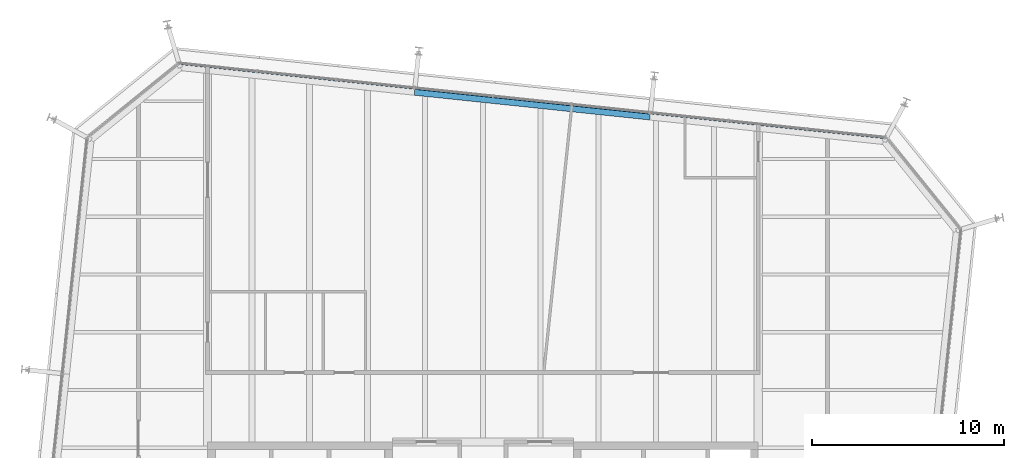
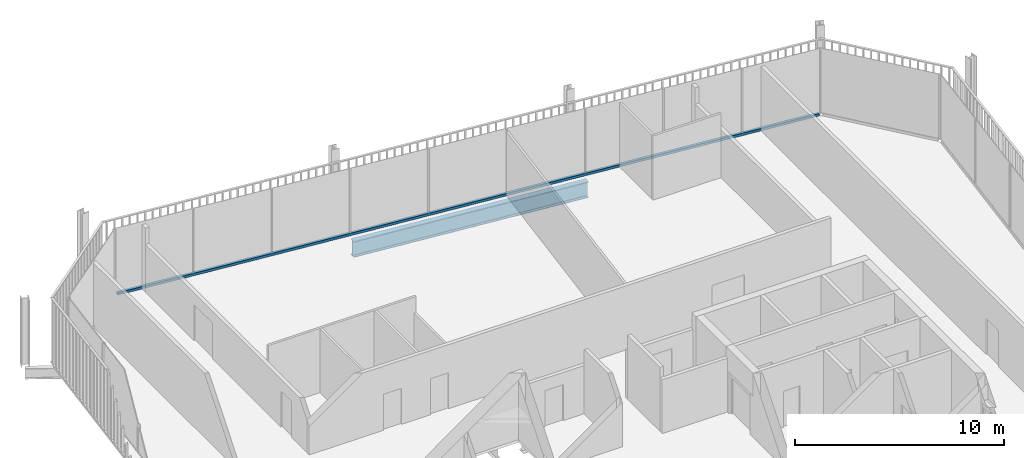
# One storey, part 13 of 20: 1 beam, 1 member, 1 element without a shape of its own.
"""IFC4 building model written with IfcOpenShell, lengths in metres."""

from ifc_helpers import new_model, si_unit, direction, frame, origin, origin_2d, place, context, subcontext, project, spatial, rectangle, i_section, extrude, material, layer, layer_set, material_profile, profile_set, type_object, element, aggregate, save


model = new_model("IFC4")

# Units and contexts
model_context = context("Model", 3, precision=1e-05, world=origin(), true_north=direction((0.0, 1.0)))
body_context = subcontext(model_context, "Body", "Model", "MODEL_VIEW")
ifc_project = project(units=[si_unit("LENGTHUNIT", "METRE"), si_unit("AREAUNIT", "SQUARE_METRE"), si_unit("VOLUMEUNIT", "CUBIC_METRE"), si_unit("PLANEANGLEUNIT", "RADIAN"), si_unit("MASSUNIT", "GRAM", prefix="KILO")], contexts=[model_context])

# Site, building, storey
site_placement = place(None, origin())
site = spatial("IfcSite", under=ifc_project, at=site_placement, CompositionType="ELEMENT")
building_placement = place(site_placement, origin())
building = spatial("IfcBuilding", under=site, at=building_placement, Name="Millrace Tower", CompositionType="ELEMENT")
storey_placement = place(building_placement, frame((0.0, 0.0, 287.699951171875)))
storey = spatial("IfcBuildingStorey", under=building, at=storey_placement, Name="L66", CompositionType="ELEMENT", Elevation=287.699951171875)

# Curtain wall, member
ifc_material_1 = material(Name="Aluminium and glass", Category="aluminium")
ifc_layer = layer(ifc_material_1, 0.14990234375)
ifc_layer_set = layer_set([ifc_layer], Name="Aluminium and glass")
curtain_wall_type = type_object("IfcCurtainWallType", Name="CW-1 office vision curtain wall", PredefinedType="NOTDEFINED", material=ifc_layer_set)
curtain_wall_placement = place(storey_placement, origin())
curtain_wall = element("IfcCurtainWall", 1, at=curtain_wall_placement, inside=storey, type_object=curtain_wall_type, Name="Curtain wall E-F06 L66", PredefinedType="NOTDEFINED")
ifc_material_2 = material(Name="Aluminium", Category="aluminium")
ifc_material_profile_1 = material_profile(ifc_material_2, rectangle(XDim=0.14990234375, YDim=0.139892578125, at=origin_2d()))
ifc_profile_set_1 = profile_set([ifc_material_profile_1], Name="Aluminium")
member_type = type_object("IfcMemberType", Name="CW-1 office vision curtain wall transom", PredefinedType="USERDEFINED", material=ifc_profile_set_1)
member_placement = place(storey_placement, frame((20.83544921875, 25.1318359375, 0.070068359375), z_axis=(-0.994521952886, 0.104527916025, 0.0), x_axis=(-0.104527916025, -0.994521952886, 0.0)))
member = element("IfcMember", 2, at=member_placement, type_object=member_type, Name="CW1 transom E-F06.1", ObjectType="TRANSOM", PredefinedType="USERDEFINED", context=body_context, shape_type="SweptSolid", body=[
    extrude(rectangle(XDim=0.14990234375, YDim=0.139892578125, at=origin_2d()), origin(), (0.0, 0.0, 1.0), 36.699951171875),
])
aggregate(curtain_wall, [member])

# Beam
ifc_material_3 = material(Name="Steel ASTM A992 Grade 50", Category="steel")
ifc_material_profile_2 = material_profile(ifc_material_3, i_section(OverallWidth=0.307373046875, OverallDepth=0.927001953125, WebThickness=0.01953125, FlangeThickness=0.031982421875, FilletRadius=0.01904296875, at=origin_2d()))
ifc_profile_set_2 = profile_set([ifc_material_profile_2], Name="Steel ASTM A992 Grade 50")
beam_type = type_object("IfcBeamType", Name="Ring beam medium span W36x194", PredefinedType="SPANDREL", material=ifc_profile_set_2)
beam_placement = place(storey_placement, frame((-3.554443359375, 27.46533203125, -0.62353515625), z_axis=(0.994522406476, -0.104523600289, 0.0), x_axis=(0.104523600289, 0.994522406476, 0.0)))
element("IfcBeam", 3, at=beam_placement, inside=storey, type_object=beam_type, Name="RNG-E-L66-S1-06", PredefinedType="SPANDREL", context=body_context, shape_type="SweptSolid", body=[
    extrude(i_section(OverallWidth=0.307373046875, OverallDepth=0.927001953125, WebThickness=0.01953125, FlangeThickness=0.031982421875, FilletRadius=0.01904296875, at=origin_2d()), origin(), (0.0, 0.0, 1.0), 12.300048828125),
])

save(model, "model.ifc")
